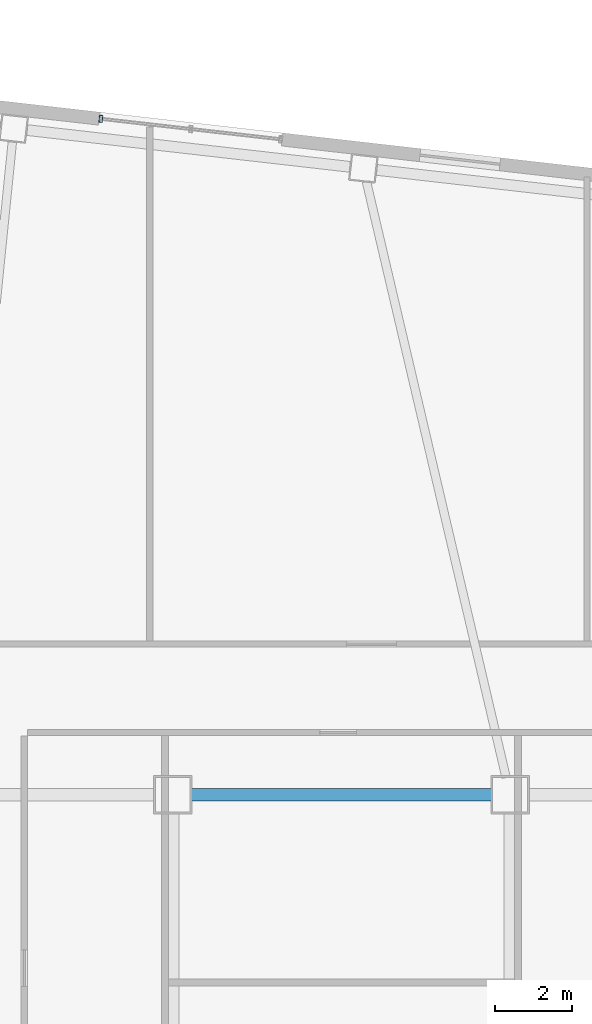
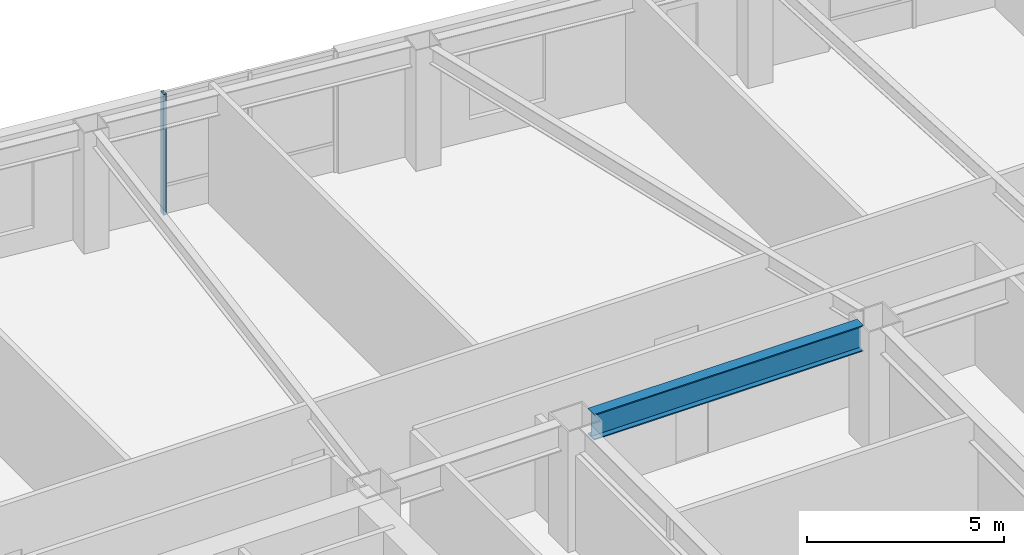
# One storey, part 6 of 20: 1 beam, 1 member, 1 element without a shape of its own.
"""IFC4 building model written with IfcOpenShell, lengths in metres."""

from ifc_helpers import new_model, si_unit, direction, frame, origin, origin_2d, place, context, subcontext, project, spatial, hollow_rectangle, i_section, extrude, material, layer, layer_set, material_profile, profile_set, type_object, element, aggregate, save


model = new_model("IFC4")

# Units and contexts
model_context = context("Model", 3, precision=1e-05, world=origin(), true_north=direction((0.0, 1.0)))
body_context = subcontext(model_context, "Body", "Model", "MODEL_VIEW")
ifc_project = project(units=[si_unit("LENGTHUNIT", "METRE"), si_unit("AREAUNIT", "SQUARE_METRE"), si_unit("VOLUMEUNIT", "CUBIC_METRE"), si_unit("PLANEANGLEUNIT", "RADIAN"), si_unit("MASSUNIT", "GRAM", prefix="KILO")], contexts=[model_context])

# Site, building, storey
site_placement = place(None, origin())
site = spatial("IfcSite", under=ifc_project, at=site_placement, CompositionType="ELEMENT")
building_placement = place(site_placement, origin())
building = spatial("IfcBuilding", under=site, at=building_placement, Name="Tavrogorsk Clinical Tower", CompositionType="ELEMENT")
storey_placement = place(building_placement, frame((0.0, 0.0, 105.39990234375)))
storey = spatial("IfcBuildingStorey", under=building, at=storey_placement, Name="L23", CompositionType="ELEMENT", Elevation=105.39990234375)

# Curtain wall, member
ifc_material_1 = material(Name="Anodised aluminium and triple IGU glazing", Category="aluminium")
ifc_layer = layer(ifc_material_1, 0.179931640625)
ifc_layer_set = layer_set([ifc_layer], Name="Anodised aluminium and triple IGU glazing")
curtain_wall_type = type_object("IfcCurtainWallType", Name="CW2_NorthSlot", PredefinedType="NOTDEFINED", material=ifc_layer_set)
curtain_wall_placement = place(storey_placement, origin())
curtain_wall = element("IfcCurtainWall", 1, at=curtain_wall_placement, inside=storey, type_object=curtain_wall_type, Name="L23 Curtain Wall CW-L23-N-SLOT-1", PredefinedType="NOTDEFINED")
ifc_material_2 = material(Name="Anodised aluminium alloy AW-6060", Category="aluminium")
ifc_material_profile_1 = material_profile(ifc_material_2, hollow_rectangle(XDim=0.090087890625, YDim=0.179931640625, WallThickness=0.00634765625, at=origin_2d()), Name="RHS-180x90x6.3")
ifc_profile_set_1 = profile_set([ifc_material_profile_1], Name="Anodised aluminium alloy AW-6060")
member_type = type_object("IfcMemberType", Name="CwMullion_180x90", PredefinedType="MULLION", material=ifc_profile_set_1)
member_placement = place(storey_placement, frame((-6.273681640625, 23.9775390625, 0.0), z_axis=(0.0, 0.0, 1.0), x_axis=(-0.993571858269, 0.113203191016, 0.0)))
member = element("IfcMember", 2, at=member_placement, type_object=member_type, Name="CW-L23-N-SLOT-1 Mullion 3", PredefinedType="MULLION", context=body_context, shape_type="SweptSolid", body=[
    extrude(hollow_rectangle(XDim=0.090087890625, YDim=0.179931640625, WallThickness=0.00634765625, at=origin_2d()), origin(), (0.0, 0.0, 1.0), 3.739990234375),
])
aggregate(curtain_wall, [member])

# Beam
ifc_material_3 = material(Name="Structural steel S390", Category="steel")
ifc_material_profile_2 = material_profile(ifc_material_3, i_section(OverallWidth=0.320068359375, OverallDepth=0.800048828125, WebThickness=0.02001953125, FlangeThickness=0.033935546875, at=origin_2d()), Name="B-800x320x20x34")
ifc_profile_set_2 = profile_set([ifc_material_profile_2], Name="Structural steel S390")
beam_type = type_object("IfcBeamType", Name="PrimaryGirder_B800", PredefinedType="USERDEFINED", material=ifc_profile_set_2)
beam_placement = place(storey_placement, frame((-3.93994140625, 6.35009765625, 3.340087890625), z_axis=(1.0, 0.0, 0.0), x_axis=(0.0, 1.0, 0.0)))
element("IfcBeam", 3, at=beam_placement, inside=storey, type_object=beam_type, Name="L23 Primary Spine Girder MG-04", ObjectType="GIRDER", PredefinedType="USERDEFINED", context=body_context, shape_type="SweptSolid", body=[
    extrude(i_section(OverallWidth=0.320068359375, OverallDepth=0.800048828125, WebThickness=0.02001953125, FlangeThickness=0.033935546875, at=origin_2d()), origin(), (0.0, 0.0, 1.0), 7.8798828125),
])

save(model, "model.ifc")
